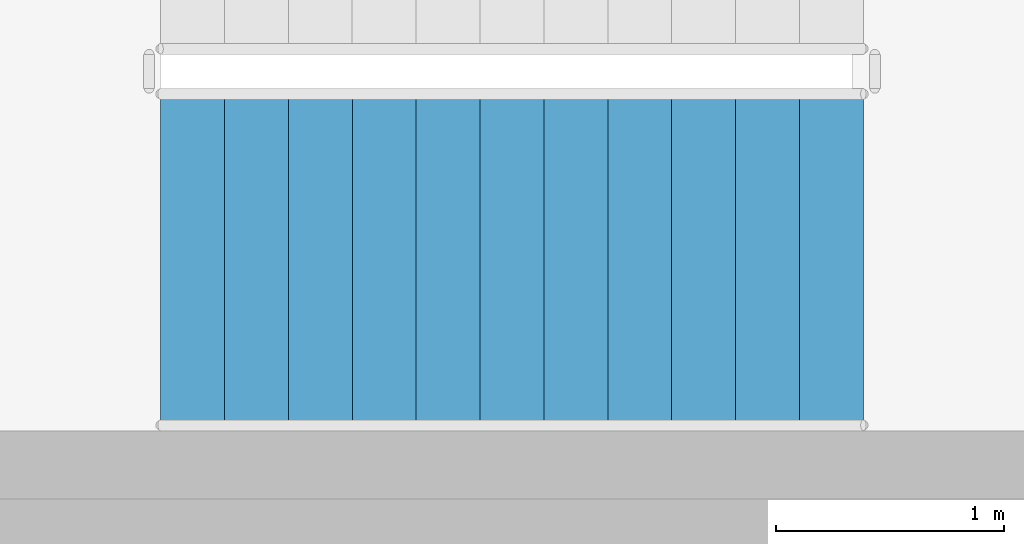
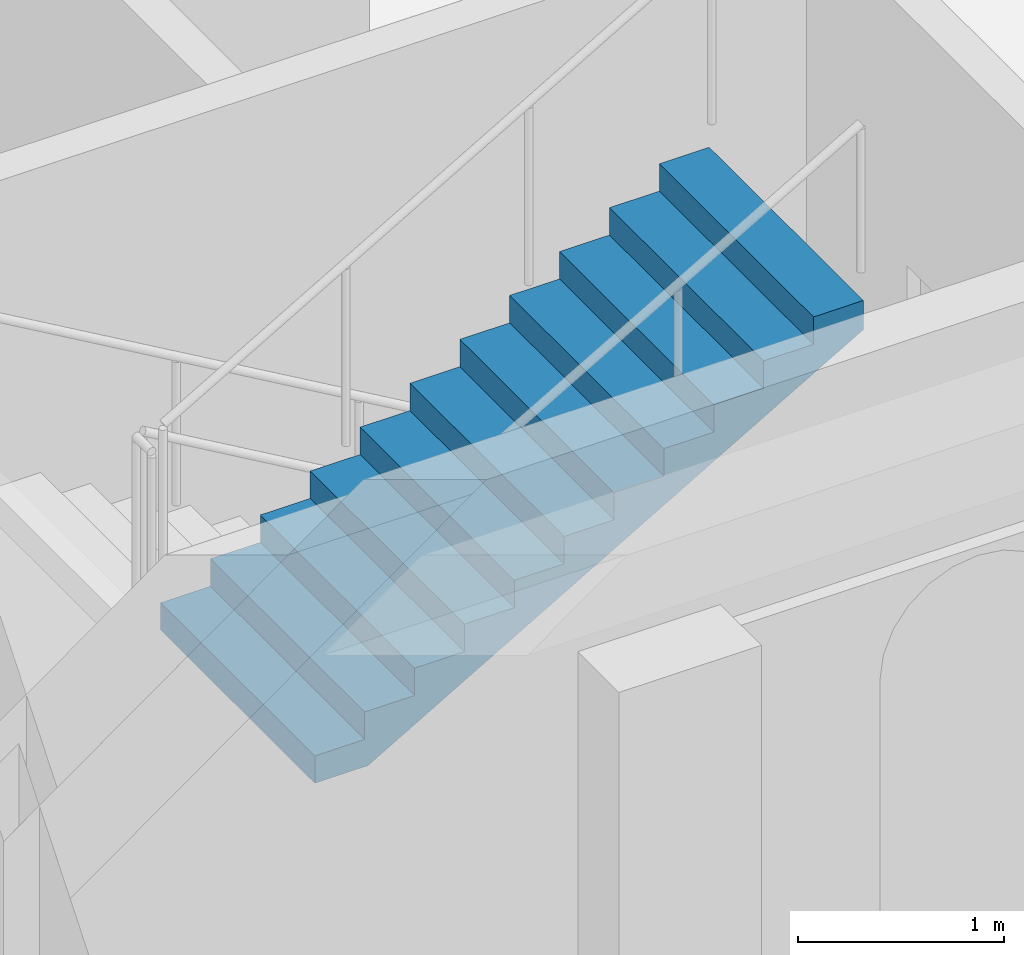
# One storey, part 11 of 17: 1 stair flight, 1 element without a shape of its own.
"""IFC4 building model written with IfcOpenShell, lengths in metres."""

from ifc_helpers import new_model, si_unit, direction, frame, origin, place, context, subcontext, project, spatial, triangles, material, type_object, element, aggregate, save


model = new_model("IFC4")

# Units and contexts
model_context = context("Model", 3, precision=1e-05, world=origin(), true_north=direction((0.0, 1.0)))
body_context = subcontext(model_context, "Body", "Model", "MODEL_VIEW")
ifc_project = project(units=[si_unit("LENGTHUNIT", "METRE"), si_unit("AREAUNIT", "SQUARE_METRE"), si_unit("VOLUMEUNIT", "CUBIC_METRE"), si_unit("PLANEANGLEUNIT", "RADIAN"), si_unit("MASSUNIT", "GRAM", prefix="KILO")], contexts=[model_context])

# Site, building, storey
site_placement = place(None, origin())
site = spatial("IfcSite", under=ifc_project, at=site_placement, CompositionType="ELEMENT")
building_placement = place(site_placement, origin())
building = spatial("IfcBuilding", under=site, at=building_placement, Name="Magnolia Steps Interchange", CompositionType="ELEMENT")
storey_placement = place(building_placement, frame((0.0, 0.0, 20.39990234375)))
storey = spatial("IfcBuildingStorey", under=building, at=storey_placement, Name="L05", CompositionType="ELEMENT", Elevation=20.39990234375)

# Stair, stair flight
ifc_material_1 = material(Name="Concrete C40", Category="concrete")
stair_type = type_object("IfcStairType", Name="Exit stair 1500", PredefinedType="HALF_TURN_STAIR", material=ifc_material_1)
stair_placement = place(storey_placement, origin())
stair = element("IfcStair", 1, at=stair_placement, inside=storey, type_object=stair_type, Name="L05 Stair 28", PredefinedType="HALF_TURN_STAIR")
ifc_material_2 = material(Name="Concrete C40", Category="concrete")
stair_flight_type = type_object("IfcStairFlightType", Name="Exit stair flight", PredefinedType="STRAIGHT", material=ifc_material_2)
stair_flight_placement = place(storey_placement, frame((66.070068359375, 97.60009765625, 1.9501953125), z_axis=(0.0, 0.0, 1.0), x_axis=(1.0, 0.0, 0.0)))
stair_flight = element("IfcStairFlight", 2, at=stair_flight_placement, type_object=stair_flight_type, Name="Stair 28 flight 2", NumberOfRisers=12, NumberOfTreads=11, PredefinedType="STRAIGHT", RiserHeight=0.1625, TreadLength=0.28, context=body_context, shape_type="Tessellation", body=[
    triangles([(0.0, -0.75, 0.0), (0.298583984375, -0.75, 0.0), (3.080078125, -0.75, 1.6142578125), (3.080078125, -0.75, 1.78759765625), (2.800048828125, -0.75, 1.78759765625), (2.800048828125, -0.75, 1.625), (2.52001953125, -0.75, 1.625), (2.52001953125, -0.75, 1.46240234375), (2.239990234375, -0.75, 1.46240234375), (2.239990234375, -0.75, 1.300048828125), (1.9599609375, -0.75, 1.300048828125), (1.9599609375, -0.75, 1.137451171875), (1.679931640625, -0.75, 1.137451171875), (1.679931640625, -0.75, 0.97509765625), (1.39990234375, -0.75, 0.97509765625), (1.39990234375, -0.75, 0.8125), (1.1201171875, -0.75, 0.8125), (1.1201171875, -0.75, 0.64990234375), (0.840087890625, -0.75, 0.64990234375), (0.840087890625, -0.75, 0.487548828125), (0.56005859375, -0.75, 0.487548828125), (0.56005859375, -0.75, 0.324951171875), (0.280029296875, -0.75, 0.324951171875), (0.280029296875, -0.75, 0.16259765625), (0.0, -0.75, 0.16259765625), (0.0, 0.75, 0.0), (0.298583984375, 0.75, 0.0), (3.080078125, 0.75, 1.6142578125), (3.080078125, 0.75, 1.78759765625), (2.800048828125, 0.75, 1.78759765625), (2.800048828125, 0.75, 1.625), (2.52001953125, 0.75, 1.625), (2.52001953125, 0.75, 1.46240234375), (2.239990234375, 0.75, 1.46240234375), (2.239990234375, 0.75, 1.300048828125), (1.9599609375, 0.75, 1.300048828125), (1.9599609375, 0.75, 1.137451171875), (1.679931640625, 0.75, 1.137451171875), (1.679931640625, 0.75, 0.97509765625), (1.39990234375, 0.75, 0.97509765625), (1.39990234375, 0.75, 0.8125), (1.1201171875, 0.75, 0.8125), (1.1201171875, 0.75, 0.64990234375), (0.840087890625, 0.75, 0.64990234375), (0.840087890625, 0.75, 0.487548828125), (0.56005859375, 0.75, 0.487548828125), (0.56005859375, 0.75, 0.324951171875), (0.280029296875, 0.75, 0.324951171875), (0.280029296875, 0.75, 0.16259765625), (0.0, 0.75, 0.16259765625), (0.0, 0.0, 0.0), (0.0, 0.0, 0.0406494140625), (0.0, 0.0, 0.081298828125), (0.0, 0.0, 0.1219482421875), (0.0, 0.0, 0.16259765625), (0.0, -0.05, 0.0), (0.0, -0.05, 0.16259765625), (0.0, 0.05, 0.0), (0.0, 0.05, 0.16259765625), (0.046671549479166664, 0.0, 0.16259765625), (0.09334309895833333, 0.0, 0.16259765625), (0.1400146484375, 0.0, 0.16259765625), (0.18668619791666666, 0.0, 0.16259765625), (0.23335774739583334, 0.0, 0.16259765625), (0.280029296875, 0.0, 0.16259765625), (0.280029296875, -0.05, 0.16259765625), (0.280029296875, 0.05, 0.16259765625), (0.280029296875, 0.0, 0.20318603515625), (0.280029296875, 0.0, 0.2437744140625), (0.280029296875, 0.0, 0.28436279296875), (0.280029296875, 0.0, 0.324951171875), (0.280029296875, -0.05, 0.324951171875), (0.280029296875, 0.05, 0.324951171875), (0.3267008463541667, 0.0, 0.324951171875), (0.3733723958333333, 0.0, 0.324951171875), (0.4200439453125, 0.0, 0.324951171875), (0.46671549479166663, 0.0, 0.324951171875), (0.5133870442708334, 0.0, 0.324951171875), (0.56005859375, 0.0, 0.324951171875), (0.56005859375, -0.05, 0.324951171875), (0.56005859375, 0.05, 0.324951171875), (0.56005859375, 0.0, 0.3656005859375), (0.56005859375, 0.0, 0.40625), (0.56005859375, 0.0, 0.4468994140625), (0.56005859375, 0.0, 0.487548828125), (0.56005859375, -0.05, 0.487548828125), (0.56005859375, 0.05, 0.487548828125), (0.6067301432291666, 0.0, 0.487548828125), (0.6534016927083334, 0.0, 0.487548828125), (0.7000732421875, 0.0, 0.487548828125), (0.7467447916666666, 0.0, 0.487548828125), (0.7934163411458334, 0.0, 0.487548828125), (0.840087890625, 0.0, 0.487548828125), (0.840087890625, -0.05, 0.487548828125), (0.840087890625, 0.05, 0.487548828125), (0.840087890625, 0.0, 0.52813720703125), (0.840087890625, 0.0, 0.5687255859375), (0.840087890625, 0.0, 0.60931396484375), (0.840087890625, 0.0, 0.64990234375), (0.840087890625, -0.05, 0.64990234375), (0.840087890625, 0.05, 0.64990234375), (0.8867594401041666, 0.0, 0.64990234375), (0.9334309895833334, 0.0, 0.64990234375), (0.9801025390625, 0.0, 0.64990234375), (1.0267740885416667, 0.0, 0.64990234375), (1.0734456380208333, 0.0, 0.64990234375), (1.1201171875, 0.0, 0.64990234375), (1.1201171875, -0.05, 0.64990234375), (1.1201171875, 0.05, 0.64990234375), (1.1201171875, 0.0, 0.6905517578125), (1.1201171875, 0.0, 0.731201171875), (1.1201171875, 0.0, 0.7718505859375), (1.1201171875, 0.0, 0.8125), (1.1201171875, -0.05, 0.8125), (1.1201171875, 0.05, 0.8125), (1.1900634765625, 0.0, 0.8125), (1.260009765625, 0.0, 0.8125), (1.3299560546875, 0.0, 0.8125), (1.39990234375, 0.0, 0.8125), (1.39990234375, -0.05, 0.8125), (1.39990234375, 0.05, 0.8125), (1.39990234375, 0.0, 0.8531494140625), (1.39990234375, 0.0, 0.893798828125), (1.39990234375, 0.0, 0.9344482421875), (1.39990234375, 0.0, 0.97509765625), (1.39990234375, -0.05, 0.97509765625), (1.39990234375, 0.05, 0.97509765625), (1.4465738932291667, 0.0, 0.97509765625), (1.4932454427083333, 0.0, 0.97509765625), (1.5399169921875, 0.0, 0.97509765625), (1.5865885416666667, 0.0, 0.97509765625), (1.6332600911458333, 0.0, 0.97509765625), (1.679931640625, 0.0, 0.97509765625), (1.679931640625, -0.05, 0.97509765625), (1.679931640625, 0.05, 0.97509765625), (1.679931640625, 0.0, 1.01568603515625), (1.679931640625, 0.0, 1.0562744140625), (1.679931640625, 0.0, 1.09686279296875), (1.679931640625, 0.0, 1.137451171875), (1.679931640625, -0.05, 1.137451171875), (1.679931640625, 0.05, 1.137451171875), (1.7266031901041667, 0.0, 1.137451171875), (1.7732747395833333, 0.0, 1.137451171875), (1.8199462890625, 0.0, 1.137451171875), (1.8666178385416667, 0.0, 1.137451171875), (1.9132893880208333, 0.0, 1.137451171875), (1.9599609375, 0.0, 1.137451171875), (1.9599609375, -0.05, 1.137451171875), (1.9599609375, 0.05, 1.137451171875), (1.9599609375, 0.0, 1.1781005859375), (1.9599609375, 0.0, 1.21875), (1.9599609375, 0.0, 1.2593994140625), (1.9599609375, 0.0, 1.300048828125), (1.9599609375, -0.05, 1.300048828125), (1.9599609375, 0.05, 1.300048828125), (2.0066324869791665, 0.0, 1.300048828125), (2.0533040364583335, 0.0, 1.300048828125), (2.0999755859375, 0.0, 1.300048828125), (2.1466471354166665, 0.0, 1.300048828125), (2.1933186848958335, 0.0, 1.300048828125), (2.239990234375, 0.0, 1.300048828125), (2.239990234375, -0.05, 1.300048828125), (2.239990234375, 0.05, 1.300048828125), (2.239990234375, 0.0, 1.34063720703125), (2.239990234375, 0.0, 1.3812255859375), (2.239990234375, 0.0, 1.42181396484375), (2.239990234375, 0.0, 1.46240234375), (2.239990234375, -0.05, 1.46240234375), (2.239990234375, 0.05, 1.46240234375), (2.2866617838541665, 0.0, 1.46240234375), (2.3333333333333335, 0.0, 1.46240234375), (2.3800048828125, 0.0, 1.46240234375), (2.4266764322916665, 0.0, 1.46240234375), (2.4733479817708335, 0.0, 1.46240234375), (2.52001953125, 0.0, 1.46240234375), (2.52001953125, -0.05, 1.46240234375), (2.52001953125, 0.05, 1.46240234375), (2.52001953125, 0.0, 1.5030517578125), (2.52001953125, 0.0, 1.543701171875), (2.52001953125, 0.0, 1.5843505859375), (2.52001953125, 0.0, 1.625), (2.52001953125, -0.05, 1.625), (2.52001953125, 0.05, 1.625), (2.5666910807291665, 0.0, 1.625), (2.6133626302083335, 0.0, 1.625), (2.6600341796875, 0.0, 1.625), (2.7067057291666665, 0.0, 1.625), (2.7533772786458335, 0.0, 1.625), (2.800048828125, 0.0, 1.625), (2.800048828125, -0.05, 1.625), (2.800048828125, 0.05, 1.625), (2.800048828125, 0.0, 1.6656494140625), (2.800048828125, 0.0, 1.706298828125), (2.800048828125, 0.0, 1.7469482421875), (2.800048828125, 0.0, 1.78759765625), (2.800048828125, -0.05, 1.78759765625), (2.800048828125, 0.05, 1.78759765625), (2.8467203776041665, 0.0, 1.78759765625), (2.8933919270833335, 0.0, 1.78759765625), (2.9400634765625, 0.0, 1.78759765625), (2.9867350260416665, 0.0, 1.78759765625), (3.0334065755208335, 0.0, 1.78759765625), (3.080078125, 0.0, 1.78759765625), (3.080078125, -0.05, 1.78759765625), (3.080078125, 0.05, 1.78759765625), (3.080078125, 0.0, 1.7442626953125), (3.080078125, 0.0, 1.700927734375), (3.080078125, 0.0, 1.6575927734375), (3.080078125, 0.0, 1.6142578125), (3.080078125, -0.05, 1.6142578125), (3.080078125, 0.05, 1.6142578125), (3.0196108610733696, 0.0, 1.5791652513586956), (2.9591435971467392, 0.0, 1.5440726902173914), (2.898676333220109, 0.0, 1.508980129076087), (2.8382090692934785, 0.0, 1.4738875679347827), (2.7777418053668477, 0.0, 1.4387950067934783), (2.7172745414402173, 0.0, 1.4037024456521738), (2.656807277513587, 0.0, 1.3686098845108696), (2.5963400135869565, 0.0, 1.3335173233695652), (2.535872749660326, 0.0, 1.2984247622282608), (2.475405485733696, 0.0, 1.2633322010869565), (2.4149382218070654, 0.0, 1.228239639945652), (2.3544709578804346, 0.0, 1.193147078804348), (2.294003693953804, 0.0, 1.1580545176630435), (2.233536430027174, 0.0, 1.1229619565217392), (2.1730691661005435, 0.0, 1.0878693953804348), (2.112601902173913, 0.0, 1.0527768342391304), (2.0521346382472827, 0.0, 1.0176842730978262), (1.991667374320652, 0.0, 0.9825917119565217), (1.9312001103940217, 0.0, 0.9474991508152174), (1.8707328464673914, 0.0, 0.9124065896739131), (1.810265582540761, 0.0, 0.8773140285326086), (1.7497983186141304, 0.0, 0.8422214673913043), (1.6893310546875, 0.0, 0.80712890625), (1.6288637907608696, 0.0, 0.7720363451086957), (1.568396526834239, 0.0, 0.7369437839673914), (1.5079292629076086, 0.0, 0.7018512228260869), (1.4474619989809783, 0.0, 0.6667586616847826), (1.386994735054348, 0.0, 0.6316661005434783), (1.3265274711277173, 0.0, 0.5965735394021738), (1.266060207201087, 0.0, 0.5614809782608696), (1.2055929432744565, 0.0, 0.5263884171195652), (1.1451256793478262, 0.0, 0.491295855978261), (1.0846584154211956, 0.0, 0.45620329483695654), (1.0241911514945654, 0.0, 0.4211107336956521), (0.9637238875679346, 0.0, 0.3860181725543479), (0.9032566236413042, 0.0, 0.35092561141304346), (0.8427893597146738, 0.0, 0.315833050271739), (0.7823220957880435, 0.0, 0.2807404891304348), (0.7218548318614131, 0.0, 0.24564792798913038), (0.6613875679347827, 0.0, 0.21055536684782616), (0.6009203040081523, 0.0, 0.17546280570652173), (0.540453040081522, 0.0, 0.1403702445652173), (0.47998577615489113, 0.0, 0.10527768342391308), (0.41951851222826075, 0.0, 0.07018512228260865), (0.3590512483016304, 0.0, 0.035092561141304435), (0.298583984375, 0.0, 0.0), (0.298583984375, -0.05, 0.0), (0.298583984375, 0.05, 0.0), (0.24881998697916666, 0.0, 0.0), (0.19905598958333331, 0.0, 0.0), (0.1492919921875, 0.0, 0.0), (0.09952799479166666, 0.0, 0.0), (0.04976399739583334, 0.0, 0.0)], [[1, 2, 3], [3, 4, 5], [3, 5, 6], [3, 6, 7], [3, 7, 8], [8, 9, 10], [3, 8, 10], [10, 11, 12], [3, 10, 12], [12, 13, 14], [3, 12, 14], [14, 15, 16], [3, 14, 16], [16, 17, 18], [3, 16, 18], [18, 19, 20], [3, 18, 20], [20, 21, 22], [3, 20, 22], [1, 3, 22], [22, 23, 24], [1, 22, 24], [24, 25, 1], [26, 28, 27], [28, 30, 29], [28, 31, 30], [28, 32, 31], [28, 33, 32], [33, 35, 34], [28, 35, 33], [35, 37, 36], [28, 37, 35], [37, 39, 38], [28, 39, 37], [39, 41, 40], [28, 41, 39], [41, 43, 42], [28, 43, 41], [43, 45, 44], [28, 45, 43], [45, 47, 46], [28, 47, 45], [26, 47, 28], [47, 49, 48], [26, 49, 47], [49, 26, 50], [1, 25, 57], [1, 57, 56], [56, 52, 51], [56, 53, 52], [56, 57, 53], [57, 54, 53], [57, 55, 54], [26, 59, 50], [26, 58, 59], [58, 51, 52], [58, 52, 53], [58, 53, 59], [59, 53, 54], [59, 54, 55], [25, 24, 66], [25, 66, 57], [57, 60, 55], [57, 61, 60], [57, 62, 61], [57, 66, 62], [66, 63, 62], [66, 64, 63], [66, 65, 64], [50, 67, 49], [50, 59, 67], [59, 55, 60], [59, 60, 61], [59, 61, 62], [59, 62, 67], [67, 62, 63], [67, 63, 64], [67, 64, 65], [24, 23, 72], [24, 72, 66], [66, 68, 65], [66, 69, 68], [66, 72, 69], [72, 70, 69], [72, 71, 70], [49, 73, 48], [49, 67, 73], [67, 65, 68], [67, 68, 69], [67, 69, 73], [73, 69, 70], [73, 70, 71], [23, 22, 80], [23, 80, 72], [72, 74, 71], [72, 75, 74], [72, 76, 75], [72, 80, 76], [80, 77, 76], [80, 78, 77], [80, 79, 78], [48, 81, 47], [48, 73, 81], [73, 71, 74], [73, 74, 75], [73, 75, 76], [73, 76, 81], [81, 76, 77], [81, 77, 78], [81, 78, 79], [22, 21, 86], [22, 86, 80], [80, 82, 79], [80, 83, 82], [80, 86, 83], [86, 84, 83], [86, 85, 84], [47, 87, 46], [47, 81, 87], [81, 79, 82], [81, 82, 83], [81, 83, 87], [87, 83, 84], [87, 84, 85], [21, 20, 94], [21, 94, 86], [86, 88, 85], [86, 89, 88], [86, 90, 89], [86, 94, 90], [94, 91, 90], [94, 92, 91], [94, 93, 92], [46, 95, 45], [46, 87, 95], [87, 85, 88], [87, 88, 89], [87, 89, 90], [87, 90, 95], [95, 90, 91], [95, 91, 92], [95, 92, 93], [20, 19, 100], [20, 100, 94], [94, 96, 93], [94, 97, 96], [94, 100, 97], [100, 98, 97], [100, 99, 98], [45, 101, 44], [45, 95, 101], [95, 93, 96], [95, 96, 97], [95, 97, 101], [101, 97, 98], [101, 98, 99], [19, 18, 108], [19, 108, 100], [100, 102, 99], [100, 103, 102], [100, 104, 103], [100, 108, 104], [108, 105, 104], [108, 106, 105], [108, 107, 106], [44, 109, 43], [44, 101, 109], [101, 99, 102], [101, 102, 103], [101, 103, 104], [101, 104, 109], [109, 104, 105], [109, 105, 106], [109, 106, 107], [18, 17, 114], [18, 114, 108], [108, 110, 107], [108, 111, 110], [108, 114, 111], [114, 112, 111], [114, 113, 112], [43, 115, 42], [43, 109, 115], [109, 107, 110], [109, 110, 111], [109, 111, 115], [115, 111, 112], [115, 112, 113], [17, 16, 120], [17, 120, 114], [114, 116, 113], [114, 117, 116], [114, 120, 117], [120, 118, 117], [120, 119, 118], [42, 121, 41], [42, 115, 121], [115, 113, 116], [115, 116, 117], [115, 117, 121], [121, 117, 118], [121, 118, 119], [16, 15, 126], [16, 126, 120], [120, 122, 119], [120, 123, 122], [120, 126, 123], [126, 124, 123], [126, 125, 124], [41, 127, 40], [41, 121, 127], [121, 119, 122], [121, 122, 123], [121, 123, 127], [127, 123, 124], [127, 124, 125], [15, 14, 134], [15, 134, 126], [126, 128, 125], [126, 129, 128], [126, 130, 129], [126, 134, 130], [134, 131, 130], [134, 132, 131], [134, 133, 132], [40, 135, 39], [40, 127, 135], [127, 125, 128], [127, 128, 129], [127, 129, 130], [127, 130, 135], [135, 130, 131], [135, 131, 132], [135, 132, 133], [14, 13, 140], [14, 140, 134], [134, 136, 133], [134, 137, 136], [134, 140, 137], [140, 138, 137], [140, 139, 138], [39, 141, 38], [39, 135, 141], [135, 133, 136], [135, 136, 137], [135, 137, 141], [141, 137, 138], [141, 138, 139], [13, 12, 148], [13, 148, 140], [140, 142, 139], [140, 143, 142], [140, 144, 143], [140, 148, 144], [148, 145, 144], [148, 146, 145], [148, 147, 146], [38, 149, 37], [38, 141, 149], [141, 139, 142], [141, 142, 143], [141, 143, 144], [141, 144, 149], [149, 144, 145], [149, 145, 146], [149, 146, 147], [12, 11, 154], [12, 154, 148], [148, 150, 147], [148, 151, 150], [148, 154, 151], [154, 152, 151], [154, 153, 152], [37, 155, 36], [37, 149, 155], [149, 147, 150], [149, 150, 151], [149, 151, 155], [155, 151, 152], [155, 152, 153], [11, 10, 162], [11, 162, 154], [154, 156, 153], [154, 157, 156], [154, 158, 157], [154, 162, 158], [162, 159, 158], [162, 160, 159], [162, 161, 160], [36, 163, 35], [36, 155, 163], [155, 153, 156], [155, 156, 157], [155, 157, 158], [155, 158, 163], [163, 158, 159], [163, 159, 160], [163, 160, 161], [10, 9, 168], [10, 168, 162], [162, 164, 161], [162, 165, 164], [162, 168, 165], [168, 166, 165], [168, 167, 166], [35, 169, 34], [35, 163, 169], [163, 161, 164], [163, 164, 165], [163, 165, 169], [169, 165, 166], [169, 166, 167], [9, 8, 176], [9, 176, 168], [168, 170, 167], [168, 171, 170], [168, 172, 171], [168, 176, 172], [176, 173, 172], [176, 174, 173], [176, 175, 174], [34, 177, 33], [34, 169, 177], [169, 167, 170], [169, 170, 171], [169, 171, 172], [169, 172, 177], [177, 172, 173], [177, 173, 174], [177, 174, 175], [8, 7, 182], [8, 182, 176], [176, 178, 175], [176, 179, 178], [176, 182, 179], [182, 180, 179], [182, 181, 180], [33, 183, 32], [33, 177, 183], [177, 175, 178], [177, 178, 179], [177, 179, 183], [183, 179, 180], [183, 180, 181], [7, 6, 190], [7, 190, 182], [182, 184, 181], [182, 185, 184], [182, 186, 185], [182, 190, 186], [190, 187, 186], [190, 188, 187], [190, 189, 188], [32, 191, 31], [32, 183, 191], [183, 181, 184], [183, 184, 185], [183, 185, 186], [183, 186, 191], [191, 186, 187], [191, 187, 188], [191, 188, 189], [6, 5, 196], [6, 196, 190], [190, 192, 189], [190, 193, 192], [190, 196, 193], [196, 194, 193], [196, 195, 194], [31, 197, 30], [31, 191, 197], [191, 189, 192], [191, 192, 193], [191, 193, 197], [197, 193, 194], [197, 194, 195], [5, 4, 204], [5, 204, 196], [196, 198, 195], [196, 199, 198], [196, 200, 199], [196, 204, 200], [204, 201, 200], [204, 202, 201], [204, 203, 202], [30, 205, 29], [30, 197, 205], [197, 195, 198], [197, 198, 199], [197, 199, 200], [197, 200, 205], [205, 200, 201], [205, 201, 202], [205, 202, 203], [4, 3, 210], [4, 210, 204], [204, 206, 203], [204, 207, 206], [204, 210, 207], [210, 208, 207], [210, 209, 208], [29, 211, 28], [29, 205, 211], [205, 203, 206], [205, 206, 207], [205, 207, 211], [211, 207, 208], [211, 208, 209], [3, 2, 258], [3, 258, 210], [210, 212, 209], [210, 213, 212], [210, 214, 213], [210, 215, 214], [210, 216, 215], [210, 217, 216], [210, 218, 217], [210, 219, 218], [210, 220, 219], [210, 221, 220], [210, 222, 221], [210, 223, 222], [210, 224, 223], [210, 225, 224], [210, 226, 225], [210, 227, 226], [210, 228, 227], [210, 229, 228], [210, 230, 229], [210, 231, 230], [210, 232, 231], [210, 233, 232], [210, 234, 233], [210, 258, 234], [258, 235, 234], [258, 236, 235], [258, 237, 236], [258, 238, 237], [258, 239, 238], [258, 240, 239], [258, 241, 240], [258, 242, 241], [258, 243, 242], [258, 244, 243], [258, 245, 244], [258, 246, 245], [258, 247, 246], [258, 248, 247], [258, 249, 248], [258, 250, 249], [258, 251, 250], [258, 252, 251], [258, 253, 252], [258, 254, 253], [258, 255, 254], [258, 256, 255], [258, 257, 256], [28, 259, 27], [28, 211, 259], [211, 209, 212], [211, 212, 213], [211, 213, 214], [211, 214, 215], [211, 215, 216], [211, 216, 217], [211, 217, 218], [211, 218, 219], [211, 219, 220], [211, 220, 221], [211, 221, 222], [211, 222, 223], [211, 223, 224], [211, 224, 225], [211, 225, 226], [211, 226, 227], [211, 227, 228], [211, 228, 229], [211, 229, 230], [211, 230, 231], [211, 231, 232], [211, 232, 233], [211, 233, 234], [211, 234, 259], [259, 234, 235], [259, 235, 236], [259, 236, 237], [259, 237, 238], [259, 238, 239], [259, 239, 240], [259, 240, 241], [259, 241, 242], [259, 242, 243], [259, 243, 244], [259, 244, 245], [259, 245, 246], [259, 246, 247], [259, 247, 248], [259, 248, 249], [259, 249, 250], [259, 250, 251], [259, 251, 252], [259, 252, 253], [259, 253, 254], [259, 254, 255], [259, 255, 256], [259, 256, 257], [2, 1, 56], [2, 56, 258], [258, 260, 257], [258, 261, 260], [258, 262, 261], [258, 56, 262], [56, 263, 262], [56, 264, 263], [56, 51, 264], [27, 58, 26], [27, 259, 58], [259, 257, 260], [259, 260, 261], [259, 261, 262], [259, 262, 58], [58, 262, 263], [58, 263, 264], [58, 264, 51]], closed=True),
])
aggregate(stair, [stair_flight])

save(model, "model.ifc")
